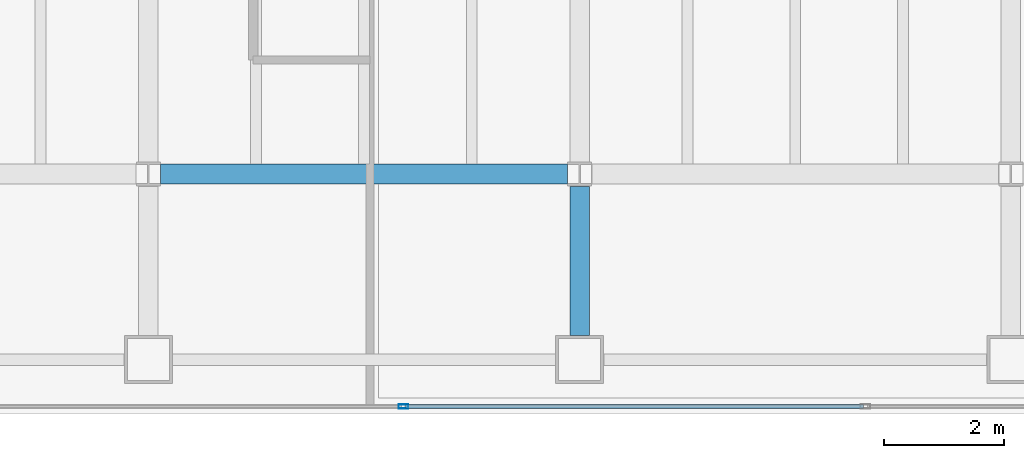
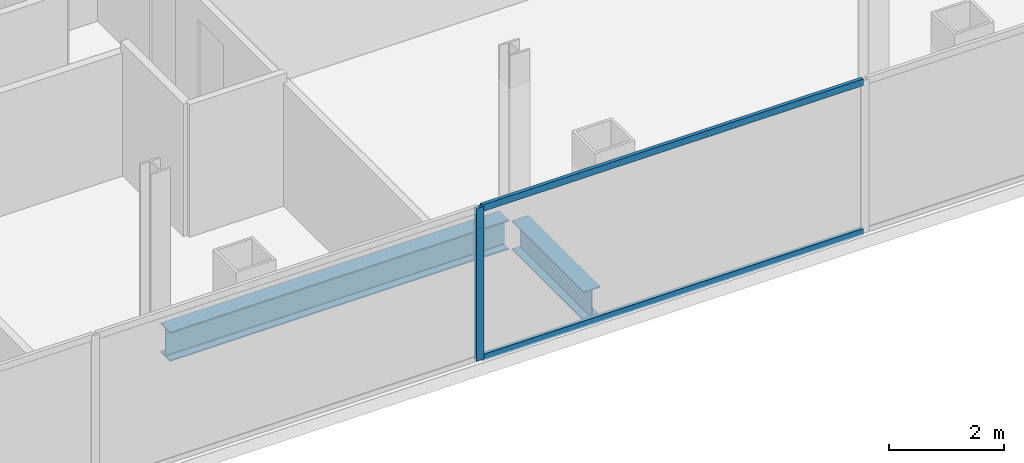
# One storey, part 6 of 23: 3 members, 2 beams, 1 element without a shape of its own.
"""IFC4 building model written with IfcOpenShell, lengths in metres."""

from ifc_helpers import new_model, si_unit, direction, frame, origin, origin_2d, place, context, subcontext, project, spatial, hollow_rectangle, i_section, extrude, material, material_profile, profile_set, type_object, element, aggregate, save


model = new_model("IFC4")

# Units and contexts
model_context = context("Model", 3, precision=1e-05, world=origin(), true_north=direction((0.0, 1.0)))
body_context = subcontext(model_context, "Body", "Model", "MODEL_VIEW")
ifc_project = project(units=[si_unit("LENGTHUNIT", "METRE"), si_unit("AREAUNIT", "SQUARE_METRE"), si_unit("VOLUMEUNIT", "CUBIC_METRE"), si_unit("PLANEANGLEUNIT", "RADIAN"), si_unit("MASSUNIT", "GRAM", prefix="KILO")], contexts=[model_context])

# Site, building, storey
site_placement = place(None, origin())
site = spatial("IfcSite", under=ifc_project, at=site_placement, CompositionType="ELEMENT")
building_placement = place(site_placement, origin())
building = spatial("IfcBuilding", under=site, at=building_placement, Name="Cobrela Telecom Tower", CompositionType="ELEMENT")
storey_placement = place(building_placement, frame((0.0, 0.0, 197.75)))
storey = spatial("IfcBuildingStorey", under=building, at=storey_placement, Name="L50", CompositionType="ELEMENT", Elevation=197.75)

# Beams
ifc_material_1 = material(Name="Steel ASTM A992 Grade 50", Category="steel")
ifc_material_profile_1 = material_profile(ifc_material_1, i_section(OverallWidth=0.327880859375, OverallDepth=0.6220703125, WebThickness=0.015380859375, FlangeThickness=0.0244140625, FilletRadius=0.014892578125, at=origin_2d()), Name="W24X131")
ifc_profile_set_1 = profile_set([ifc_material_profile_1], Name="Steel ASTM A992 Grade 50")
beam_type = type_object("IfcBeamType", Name="BM-GIRD-06", PredefinedType="USERDEFINED", material=ifc_profile_set_1)
beam_1_placement = place(storey_placement, frame((21.804443359375, 7.199951171875, -0.571044921875), z_axis=(1.0, 0.0, 0.0), x_axis=(0.0, 1.0, 0.0)))
element("IfcBeam", 1, at=beam_1_placement, inside=storey, type_object=beam_type, Name="L50 Primary Girder X08", ObjectType="GIRDER", PredefinedType="USERDEFINED", context=body_context, shape_type="SweptSolid", body=[
    extrude(i_section(OverallWidth=0.327880859375, OverallDepth=0.6220703125, WebThickness=0.015380859375, FlangeThickness=0.0244140625, FilletRadius=0.014892578125, at=origin_2d()), origin(), (0.0, 0.0, 1.0), 6.791015625),
])
beam_2_placement = place(storey_placement, frame((28.800048828125, 4.5048828125, -0.571044921875), z_axis=(0.0, 1.0, 0.0), x_axis=(-1.0, 0.0, 0.0)))
element("IfcBeam", 2, at=beam_2_placement, inside=storey, type_object=beam_type, Name="L50 Primary Girder Y36", ObjectType="GIRDER", PredefinedType="USERDEFINED", context=body_context, shape_type="SweptSolid", body=[
    extrude(i_section(OverallWidth=0.327880859375, OverallDepth=0.6220703125, WebThickness=0.015380859375, FlangeThickness=0.0244140625, FilletRadius=0.014892578125, at=origin_2d()), origin(), (0.0, 0.0, 1.0), 2.49072265625),
])

# Curtain wall, members
ifc_material_2 = material(Name="Anodized Bronze Aluminium 6063-T6", Category="aluminium")
curtain_wall_type = type_object("IfcCurtainWallType", Name="CW-SYS-OFF-LO", PredefinedType="USERDEFINED", material=ifc_material_2)
curtain_wall_placement = place(storey_placement, origin())
curtain_wall = element("IfcCurtainWall", 3, at=curtain_wall_placement, inside=storey, type_object=curtain_wall_type, Name="L50 Unitised Bronze Curtain Wall 17", ObjectType="UNITISED CURTAIN WALL", PredefinedType="USERDEFINED")
ifc_material_profile_2 = material_profile(ifc_material_2, hollow_rectangle(XDim=0.070068359375, YDim=0.159912109375, WallThickness=0.00390625, at=origin_2d()), Name="ALU 70x160x4")
ifc_profile_set_2 = profile_set([ifc_material_profile_2], Name="Anodized Bronze Aluminium 6063-T6")
member_type_1 = type_object("IfcMemberType", Name="CW-SYS-OFF-LO-MUL", PredefinedType="MULLION", material=ifc_profile_set_2)
member_1_placement = place(storey_placement, frame((25.85791015625, 3.320068359375, 0.0), z_axis=(0.0, 0.0, 1.0), x_axis=(0.0, -1.0, 0.0)))
member_1 = element("IfcMember", 4, at=member_1_placement, type_object=member_type_1, Name="CW-OFF-LO mullion 3", PredefinedType="MULLION", context=body_context, shape_type="SweptSolid", body=[
    extrude(hollow_rectangle(XDim=0.070068359375, YDim=0.159912109375, WallThickness=0.00390625, at=origin_2d()), origin(), (0.0, 0.0, 1.0), 3.239990234375),
])
ifc_material_profile_3 = material_profile(ifc_material_2, hollow_rectangle(XDim=0.070068359375, YDim=0.139892578125, WallThickness=0.00390625, at=origin_2d()), Name="ALU 70x140x4")
ifc_profile_set_3 = profile_set([ifc_material_profile_3], Name="Anodized Bronze Aluminium 6063-T6")
member_type_2 = type_object("IfcMemberType", Name="CW-SYS-OFF-LO-TRN", PredefinedType="USERDEFINED", material=ifc_profile_set_3)
member_2_placement = place(storey_placement, frame((33.5390625, 3.320068359375, 0.034912109375), z_axis=(-1.0, 0.0, 0.0), x_axis=(0.0, -1.0, 0.0)))
member_2 = element("IfcMember", 5, at=member_2_placement, type_object=member_type_2, Name="CW-OFF-LO transom 2.1", ObjectType="TRANSOM", PredefinedType="USERDEFINED", context=body_context, shape_type="SweptSolid", body=[
    extrude(hollow_rectangle(XDim=0.070068359375, YDim=0.139892578125, WallThickness=0.00390625, at=origin_2d()), origin(), (0.0, 0.0, 1.0), 7.64599609375),
])
member_3_placement = place(storey_placement, frame((33.5390625, 3.320068359375, 3.205078125), z_axis=(-1.0, 0.0, 0.0), x_axis=(0.0, -1.0, 0.0)))
member_3 = element("IfcMember", 6, at=member_3_placement, type_object=member_type_2, Name="CW-OFF-LO transom 2.2", ObjectType="TRANSOM", PredefinedType="USERDEFINED", context=body_context, shape_type="SweptSolid", body=[
    extrude(hollow_rectangle(XDim=0.070068359375, YDim=0.139892578125, WallThickness=0.00390625, at=origin_2d()), origin(), (0.0, 0.0, 1.0), 7.64599609375),
])
aggregate(curtain_wall, [member_1, member_2, member_3])

save(model, "model.ifc")
